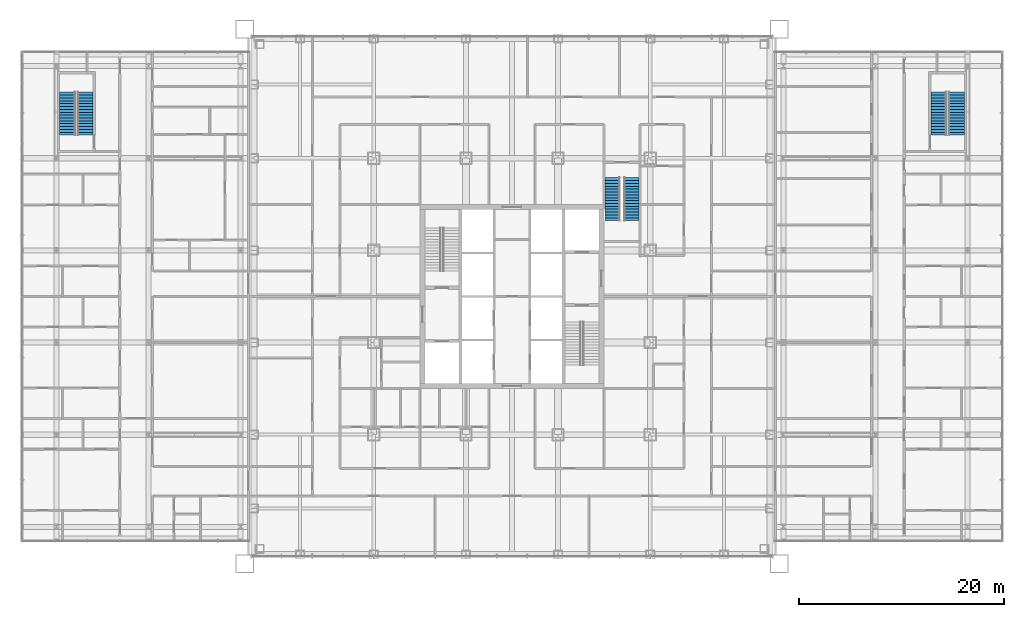
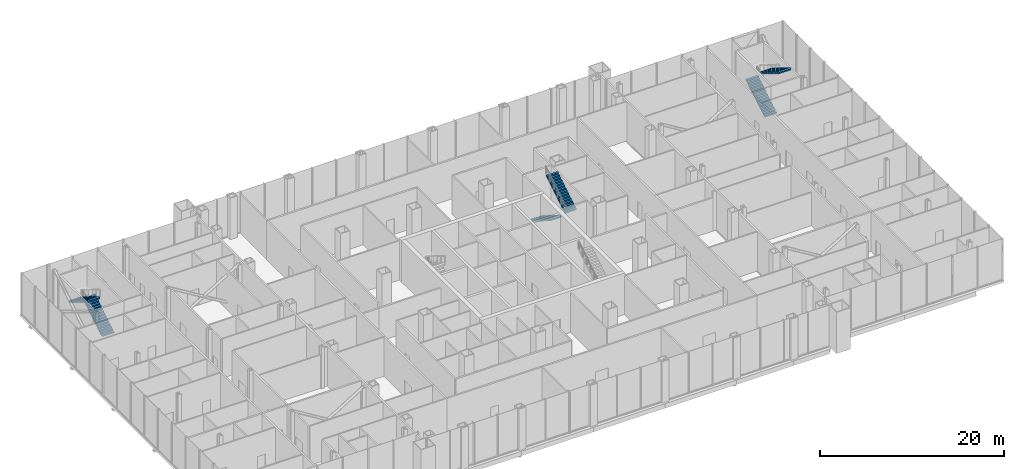
# One storey, part 20 of 25: 6 stair flights, 3 elements without a shape of their own.
"""IFC4 building model written with IfcOpenShell, lengths in metres."""

from ifc_helpers import new_model, si_unit, direction, frame, origin, place, context, subcontext, project, spatial, polyline, outline, extrude, material, type_object, element, aggregate, save


model = new_model("IFC4")

# Units and contexts
model_context = context("Model", 3, precision=1e-05, world=origin(), true_north=direction((0.0, 1.0)))
body_context = subcontext(model_context, "Body", "Model", "MODEL_VIEW")
ifc_project = project(units=[si_unit("LENGTHUNIT", "METRE"), si_unit("AREAUNIT", "SQUARE_METRE"), si_unit("VOLUMEUNIT", "CUBIC_METRE"), si_unit("PLANEANGLEUNIT", "RADIAN"), si_unit("MASSUNIT", "GRAM", prefix="KILO")], contexts=[model_context])

# Site, building, storey
site_placement = place(None, origin())
site = spatial("IfcSite", under=ifc_project, at=site_placement, CompositionType="ELEMENT")
building_placement = place(site_placement, origin())
building = spatial("IfcBuilding", under=site, at=building_placement, Name="Malebo Sky Hospital", CompositionType="ELEMENT")
storey_placement = place(building_placement, frame((0.0, 0.0, 11.0)))
storey = spatial("IfcBuildingStorey", under=building, at=storey_placement, Name="L02", CompositionType="ELEMENT", Elevation=11.0)

# Stair, stair flights
ifc_material = material(Name="Concrete C40/50", Category="concrete")
stair_type_1 = type_object("IfcStairType", Name="HALF-TURN STAIR 1400 R172", PredefinedType="HALF_TURN_STAIR", material=ifc_material)
stair_1_placement = place(storey_placement, origin())
stair_1 = element("IfcStair", 1, at=stair_1_placement, inside=storey, type_object=stair_type_1, Name="Stair S3 L02 type ST2B", PredefinedType="HALF_TURN_STAIR")
stair_flight_type_1 = type_object("IfcStairFlightType", Name="STAIR FLIGHT 1400 R172", PredefinedType="STRAIGHT", material=ifc_material)
stair_flight_1_placement = place(storey_placement, frame((69.800048828125, 73.60009765625, 0.0), z_axis=(0.0, 0.0, 1.0), x_axis=(0.0, -1.0, 0.0)))
stair_flight_1 = element("IfcStairFlight", 2, at=stair_flight_1_placement, type_object=stair_flight_type_1, Name="S3 flight 1 type SF2B", NumberOfRisers=16, NumberOfTreads=15, PredefinedType="STRAIGHT", RiserHeight=0.171875, TreadLength=0.28, context=body_context, shape_type="SweptSolid", body=[
    extrude(outline(polyline([(0.0, 0.0), (0.0, 0.171875), (0.280029296875, 0.171875), (0.280029296875, 0.34375), (0.56005859375, 0.34375), (0.56005859375, 0.515625), (0.840087890625, 0.515625), (0.840087890625, 0.6875), (1.1201171875, 0.6875), (1.1201171875, 0.859375), (1.39990234375, 0.859375), (1.39990234375, 1.03125), (1.679931640625, 1.03125), (1.679931640625, 1.203125), (1.9599609375, 1.203125), (1.9599609375, 1.375), (2.239990234375, 1.375), (2.239990234375, 1.546875), (2.52001953125, 1.546875), (2.52001953125, 1.71875), (2.800048828125, 1.71875), (2.800048828125, 1.890625), (3.080078125, 1.890625), (3.080078125, 2.0625), (3.360107421875, 2.0625), (3.360107421875, 2.234375), (3.639892578125, 2.234375), (3.639892578125, 2.40625), (3.919921875, 2.40625), (3.919921875, 2.578125), (4.199951171875, 2.578125), (4.199951171875, 2.75), (4.199951171875, 2.40234375), (0.28662109375, 0.0), (0.0, 0.0)])), frame((0.0, 0.699951171875, 0.0), z_axis=(0.0, -1.0, 0.0), x_axis=(1.0, 0.0, 0.0)), (0.0, 0.0, 1.0), 1.39990234375),
])
stair_flight_2_placement = place(storey_placement, frame((71.699951171875, 69.39990234375, 2.75), z_axis=(0.0, 0.0, 1.0), x_axis=(0.0, 1.0, 0.0)))
stair_flight_2 = element("IfcStairFlight", 3, at=stair_flight_2_placement, type_object=stair_flight_type_1, Name="S3 flight 2 type SF2B", NumberOfRisers=16, NumberOfTreads=15, PredefinedType="STRAIGHT", RiserHeight=0.171875, TreadLength=0.28, context=body_context, shape_type="SweptSolid", body=[
    extrude(outline(polyline([(0.0, 0.0), (0.0, 0.171875), (0.280029296875, 0.171875), (0.280029296875, 0.34375), (0.56005859375, 0.34375), (0.56005859375, 0.515625), (0.840087890625, 0.515625), (0.840087890625, 0.6875), (1.1201171875, 0.6875), (1.1201171875, 0.859375), (1.39990234375, 0.859375), (1.39990234375, 1.03125), (1.679931640625, 1.03125), (1.679931640625, 1.203125), (1.9599609375, 1.203125), (1.9599609375, 1.375), (2.239990234375, 1.375), (2.239990234375, 1.546875), (2.52001953125, 1.546875), (2.52001953125, 1.71875), (2.800048828125, 1.71875), (2.800048828125, 1.890625), (3.080078125, 1.890625), (3.080078125, 2.0625), (3.360107421875, 2.0625), (3.360107421875, 2.234375), (3.639892578125, 2.234375), (3.639892578125, 2.40625), (3.919921875, 2.40625), (3.919921875, 2.578125), (4.199951171875, 2.578125), (4.199951171875, 2.75), (4.199951171875, 2.40234375), (0.28662109375, 0.0), (0.0, 0.0)])), frame((0.0, 0.699951171875, 0.0), z_axis=(0.0, -1.0, 0.0), x_axis=(1.0, 0.0, 0.0)), (0.0, 0.0, 1.0), 1.39990234375),
])
aggregate(stair_1, [stair_flight_1, stair_flight_2])

stair_type_2 = type_object("IfcStairType", Name="HALF-TURN STAIR 1500 R172", PredefinedType="HALF_TURN_STAIR", material=ifc_material)
stair_2_placement = place(storey_placement, origin())
stair_2 = element("IfcStair", 4, at=stair_2_placement, inside=storey, type_object=stair_type_2, Name="Stair WS L02 type ST2", PredefinedType="HALF_TURN_STAIR")
stair_flight_type_2 = type_object("IfcStairFlightType", Name="STAIR FLIGHT 1500 R172", PredefinedType="STRAIGHT", material=ifc_material)
stair_flight_3_placement = place(storey_placement, frame((18.35009765625, 77.75, 0.0), z_axis=(0.0, 0.0, 1.0), x_axis=(0.0, 1.0, 0.0)))
stair_flight_3 = element("IfcStairFlight", 5, at=stair_flight_3_placement, type_object=stair_flight_type_2, Name="WS flight 1 type SF2", NumberOfRisers=16, NumberOfTreads=15, PredefinedType="STRAIGHT", RiserHeight=0.171875, TreadLength=0.28, context=body_context, shape_type="SweptSolid", body=[
    extrude(outline(polyline([(0.0, 0.0), (0.0, 0.171875), (0.280029296875, 0.171875), (0.280029296875, 0.34375), (0.56005859375, 0.34375), (0.56005859375, 0.515625), (0.840087890625, 0.515625), (0.840087890625, 0.6875), (1.1201171875, 0.6875), (1.1201171875, 0.859375), (1.39990234375, 0.859375), (1.39990234375, 1.03125), (1.679931640625, 1.03125), (1.679931640625, 1.203125), (1.9599609375, 1.203125), (1.9599609375, 1.375), (2.239990234375, 1.375), (2.239990234375, 1.546875), (2.52001953125, 1.546875), (2.52001953125, 1.71875), (2.800048828125, 1.71875), (2.800048828125, 1.890625), (3.080078125, 1.890625), (3.080078125, 2.0625), (3.360107421875, 2.0625), (3.360107421875, 2.234375), (3.639892578125, 2.234375), (3.639892578125, 2.40625), (3.919921875, 2.40625), (3.919921875, 2.578125), (4.199951171875, 2.578125), (4.199951171875, 2.75), (4.199951171875, 2.40234375), (0.28662109375, 0.0), (0.0, 0.0)])), frame((0.0, 0.75, 0.0), z_axis=(0.0, -1.0, 0.0), x_axis=(1.0, 0.0, 0.0)), (0.0, 0.0, 1.0), 1.5),
])
stair_flight_4_placement = place(storey_placement, frame((16.550048828125, 81.949951171875, 2.75), z_axis=(0.0, 0.0, 1.0), x_axis=(0.0, -1.0, 0.0)))
stair_flight_4 = element("IfcStairFlight", 6, at=stair_flight_4_placement, type_object=stair_flight_type_2, Name="WS flight 2 type SF2", NumberOfRisers=16, NumberOfTreads=15, PredefinedType="STRAIGHT", RiserHeight=0.171875, TreadLength=0.28, context=body_context, shape_type="SweptSolid", body=[
    extrude(outline(polyline([(0.0, 0.0), (0.0, 0.171875), (0.280029296875, 0.171875), (0.280029296875, 0.34375), (0.56005859375, 0.34375), (0.56005859375, 0.515625), (0.840087890625, 0.515625), (0.840087890625, 0.6875), (1.1201171875, 0.6875), (1.1201171875, 0.859375), (1.39990234375, 0.859375), (1.39990234375, 1.03125), (1.679931640625, 1.03125), (1.679931640625, 1.203125), (1.9599609375, 1.203125), (1.9599609375, 1.375), (2.239990234375, 1.375), (2.239990234375, 1.546875), (2.52001953125, 1.546875), (2.52001953125, 1.71875), (2.800048828125, 1.71875), (2.800048828125, 1.890625), (3.080078125, 1.890625), (3.080078125, 2.0625), (3.360107421875, 2.0625), (3.360107421875, 2.234375), (3.639892578125, 2.234375), (3.639892578125, 2.40625), (3.919921875, 2.40625), (3.919921875, 2.578125), (4.199951171875, 2.578125), (4.199951171875, 2.75), (4.199951171875, 2.40234375), (0.28662109375, 0.0), (0.0, 0.0)])), frame((0.0, 0.75, 0.0), z_axis=(0.0, -1.0, 0.0), x_axis=(1.0, 0.0, 0.0)), (0.0, 0.0, 1.0), 1.5),
])
aggregate(stair_2, [stair_flight_3, stair_flight_4])

stair_3_placement = place(storey_placement, origin())
stair_3 = element("IfcStair", 7, at=stair_3_placement, inside=storey, type_object=stair_type_2, Name="Stair ES L02 type ST2", PredefinedType="HALF_TURN_STAIR")
stair_flight_5_placement = place(storey_placement, frame((101.64990234375, 77.75, 0.0), z_axis=(0.0, 0.0, 1.0), x_axis=(0.0, 1.0, 0.0)))
stair_flight_5 = element("IfcStairFlight", 8, at=stair_flight_5_placement, type_object=stair_flight_type_2, Name="ES flight 1 type SF2", NumberOfRisers=16, NumberOfTreads=15, PredefinedType="STRAIGHT", RiserHeight=0.171875, TreadLength=0.28, context=body_context, shape_type="SweptSolid", body=[
    extrude(outline(polyline([(0.0, 0.0), (0.0, 0.171875), (0.280029296875, 0.171875), (0.280029296875, 0.34375), (0.56005859375, 0.34375), (0.56005859375, 0.515625), (0.840087890625, 0.515625), (0.840087890625, 0.6875), (1.1201171875, 0.6875), (1.1201171875, 0.859375), (1.39990234375, 0.859375), (1.39990234375, 1.03125), (1.679931640625, 1.03125), (1.679931640625, 1.203125), (1.9599609375, 1.203125), (1.9599609375, 1.375), (2.239990234375, 1.375), (2.239990234375, 1.546875), (2.52001953125, 1.546875), (2.52001953125, 1.71875), (2.800048828125, 1.71875), (2.800048828125, 1.890625), (3.080078125, 1.890625), (3.080078125, 2.0625), (3.360107421875, 2.0625), (3.360107421875, 2.234375), (3.639892578125, 2.234375), (3.639892578125, 2.40625), (3.919921875, 2.40625), (3.919921875, 2.578125), (4.199951171875, 2.578125), (4.199951171875, 2.75), (4.199951171875, 2.40234375), (0.28662109375, 0.0), (0.0, 0.0)])), frame((0.0, 0.75, 0.0), z_axis=(0.0, -1.0, 0.0), x_axis=(1.0, 0.0, 0.0)), (0.0, 0.0, 1.0), 1.5),
])
stair_flight_6_placement = place(storey_placement, frame((103.449951171875, 81.949951171875, 2.75), z_axis=(0.0, 0.0, 1.0), x_axis=(0.0, -1.0, 0.0)))
stair_flight_6 = element("IfcStairFlight", 9, at=stair_flight_6_placement, type_object=stair_flight_type_2, Name="ES flight 2 type SF2", NumberOfRisers=16, NumberOfTreads=15, PredefinedType="STRAIGHT", RiserHeight=0.171875, TreadLength=0.28, context=body_context, shape_type="SweptSolid", body=[
    extrude(outline(polyline([(0.0, 0.0), (0.0, 0.171875), (0.280029296875, 0.171875), (0.280029296875, 0.34375), (0.56005859375, 0.34375), (0.56005859375, 0.515625), (0.840087890625, 0.515625), (0.840087890625, 0.6875), (1.1201171875, 0.6875), (1.1201171875, 0.859375), (1.39990234375, 0.859375), (1.39990234375, 1.03125), (1.679931640625, 1.03125), (1.679931640625, 1.203125), (1.9599609375, 1.203125), (1.9599609375, 1.375), (2.239990234375, 1.375), (2.239990234375, 1.546875), (2.52001953125, 1.546875), (2.52001953125, 1.71875), (2.800048828125, 1.71875), (2.800048828125, 1.890625), (3.080078125, 1.890625), (3.080078125, 2.0625), (3.360107421875, 2.0625), (3.360107421875, 2.234375), (3.639892578125, 2.234375), (3.639892578125, 2.40625), (3.919921875, 2.40625), (3.919921875, 2.578125), (4.199951171875, 2.578125), (4.199951171875, 2.75), (4.199951171875, 2.40234375), (0.28662109375, 0.0), (0.0, 0.0)])), frame((0.0, 0.75, 0.0), z_axis=(0.0, -1.0, 0.0), x_axis=(1.0, 0.0, 0.0)), (0.0, 0.0, 1.0), 1.5),
])
aggregate(stair_3, [stair_flight_5, stair_flight_6])

save(model, "model.ifc")
